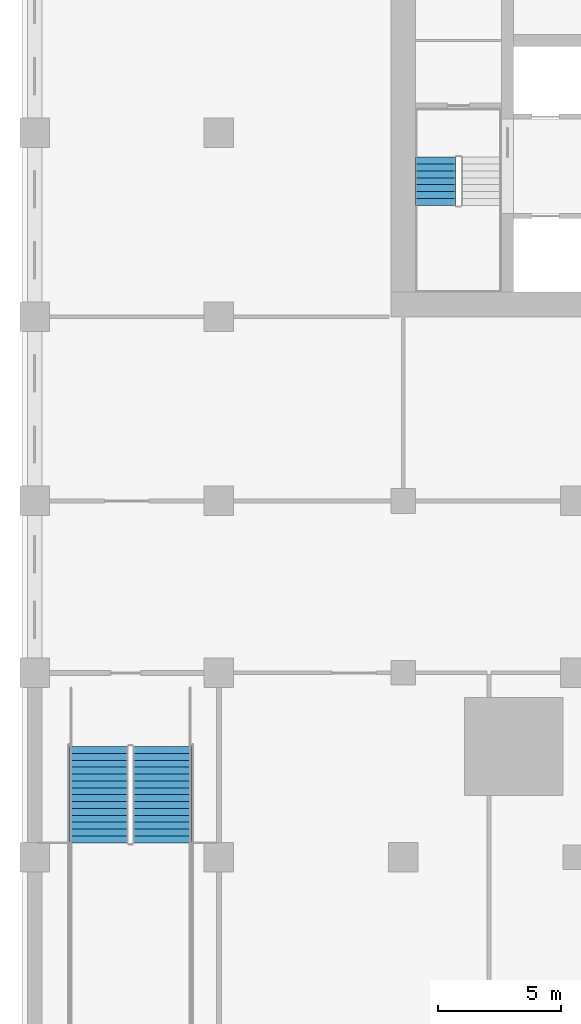
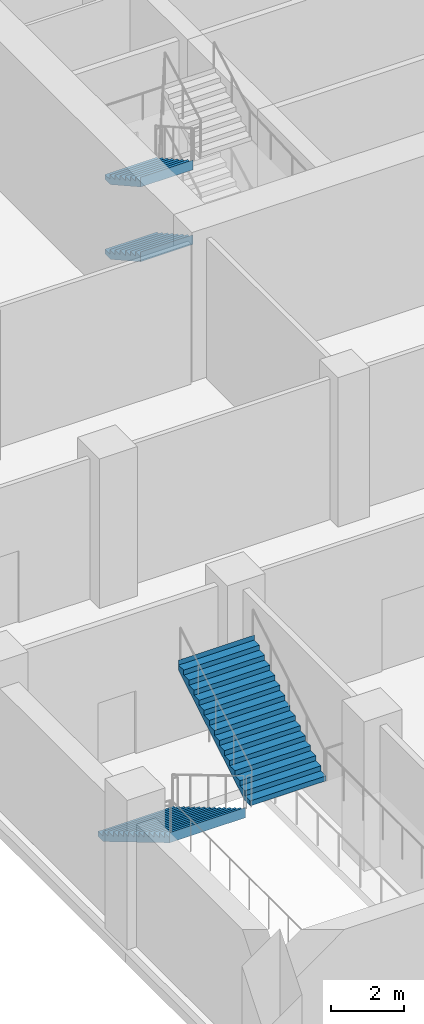
# One storey, part 13 of 32: 4 stair flights, 2 elements without a shape of their own.
"""IFC4 building model written with IfcOpenShell, lengths in metres."""

from ifc_helpers import new_model, si_unit, direction, frame, origin, place, context, subcontext, project, spatial, polyline, outline, extrude, material, type_object, element, aggregate, save


model = new_model("IFC4")

# Units and contexts
model_context = context("Model", 3, precision=1e-05, world=origin(), true_north=direction((0.0, 1.0)))
body_context = subcontext(model_context, "Body", "Model", "MODEL_VIEW")
ifc_project = project(units=[si_unit("LENGTHUNIT", "METRE"), si_unit("AREAUNIT", "SQUARE_METRE"), si_unit("VOLUMEUNIT", "CUBIC_METRE"), si_unit("PLANEANGLEUNIT", "RADIAN"), si_unit("MASSUNIT", "GRAM", prefix="KILO")], contexts=[model_context])

# Site, building, storey
site_placement = place(None, origin())
site = spatial("IfcSite", under=ifc_project, at=site_placement, CompositionType="ELEMENT")
building_placement = place(site_placement, origin())
building = spatial("IfcBuilding", under=site, at=building_placement, Name="Tamorin Gate", CompositionType="ELEMENT")
storey_placement = place(building_placement, frame((0.0, 0.0, 13.5)))
storey = spatial("IfcBuildingStorey", under=building, at=storey_placement, Name="L02", CompositionType="ELEMENT", Elevation=13.5)

# Stair, stair flights
ifc_material_1 = material(Name="Concrete C40/50", Category="concrete")
stair_type_1 = type_object("IfcStairType", Name="Exit stair", PredefinedType="HALF_TURN_STAIR", material=ifc_material_1)
stair_1_placement = place(storey_placement, origin())
stair_1 = element("IfcStair", 1, at=stair_1_placement, inside=storey, type_object=stair_type_1, Name="L02 stair ST1", PredefinedType="HALF_TURN_STAIR")
stair_flight_type_1 = type_object("IfcStairFlightType", Name="Exit stair flight", PredefinedType="STRAIGHT", material=ifc_material_1)
stair_flight_1_placement = place(storey_placement, frame((31.824951171875, 66.5, 0.0), z_axis=(0.0, 0.0, 1.0), x_axis=(0.0, -1.0, 0.0)))
stair_flight_1 = element("IfcStairFlight", 2, at=stair_flight_1_placement, type_object=stair_flight_type_1, Name="ST1 flight 1", NumberOfRisers=8, NumberOfTreads=7, PredefinedType="STRAIGHT", RiserHeight=0.15625, TreadLength=0.28, context=body_context, shape_type="SweptSolid", body=[
    extrude(outline(polyline([(-0.00048828125, 0.0), (-0.00048828125, 0.00146484375), (-0.00048828125, 0.003173828125), (-0.00048828125, 0.004638671875), (-0.00048828125, 0.006103515625), (-0.00048828125, 0.0078125), (-0.00048828125, 0.00927734375), (-0.00048828125, 0.0107421875), (-0.00048828125, 0.012451171875), (-0.00048828125, 0.013916015625), (-0.00048828125, 0.015380859375), (-0.00048828125, 0.01708984375), (-0.00048828125, 0.0185546875), (-0.00048828125, 0.02001953125), (-0.00048828125, 0.021728515625), (-0.00048828125, 0.023193359375), (-0.00048828125, 0.024658203125), (-0.00048828125, 0.0263671875), (-0.00048828125, 0.02783203125), (-0.00048828125, 0.029296875), (-0.00048828125, 0.031005859375), (-0.00048828125, 0.032470703125), (-0.00048828125, 0.033935546875), (-0.00048828125, 0.03564453125), (-0.00048828125, 0.037109375), (-0.00048828125, 0.03857421875), (-0.00048828125, 0.040283203125), (-0.00048828125, 0.041748046875), (-0.00048828125, 0.043212890625), (-0.00048828125, 0.044921875), (-0.00048828125, 0.04638671875), (-0.00048828125, 0.0478515625), (-0.00048828125, 0.049560546875), (-0.00048828125, 0.051025390625), (-0.00048828125, 0.052490234375), (-0.00048828125, 0.05419921875), (-0.00048828125, 0.0556640625), (-0.00048828125, 0.05712890625), (-0.00048828125, 0.058837890625), (-0.00048828125, 0.060302734375), (-0.00048828125, 0.061767578125), (-0.00048828125, 0.0634765625), (-0.00048828125, 0.06494140625), (-0.00048828125, 0.06640625), (-0.00048828125, 0.068115234375), (-0.00048828125, 0.069580078125), (-0.00048828125, 0.071044921875), (-0.00048828125, 0.07275390625), (-0.00048828125, 0.07421875), (-0.00048828125, 0.07568359375), (-0.00048828125, 0.077392578125), (-0.00048828125, 0.078857421875), (-0.00048828125, 0.08056640625), (-0.00048828125, 0.08203125), (-0.00048828125, 0.08349609375), (-0.00048828125, 0.085205078125), (-0.00048828125, 0.086669921875), (-0.00048828125, 0.088134765625), (-0.00048828125, 0.08984375), (-0.00048828125, 0.09130859375), (-0.00048828125, 0.0927734375), (-0.00048828125, 0.094482421875), (-0.00048828125, 0.095947265625), (-0.00048828125, 0.097412109375), (-0.00048828125, 0.09912109375), (-0.00048828125, 0.1005859375), (-0.00048828125, 0.10205078125), (-0.00048828125, 0.103759765625), (-0.00048828125, 0.105224609375), (-0.00048828125, 0.106689453125), (-0.00048828125, 0.1083984375), (-0.00048828125, 0.10986328125), (-0.00048828125, 0.111328125), (-0.00048828125, 0.113037109375), (-0.00048828125, 0.114501953125), (-0.00048828125, 0.115966796875), (-0.00048828125, 0.11767578125), (-0.00048828125, 0.119140625), (-0.00048828125, 0.12060546875), (-0.00048828125, 0.122314453125), (-0.00048828125, 0.123779296875), (-0.00048828125, 0.125244140625), (-0.00048828125, 0.126953125), (-0.00048828125, 0.12841796875), (-0.00048828125, 0.1298828125), (-0.00048828125, 0.131591796875), (-0.00048828125, 0.133056640625), (-0.00048828125, 0.134521484375), (-0.00048828125, 0.13623046875), (-0.00048828125, 0.1376953125), (-0.00048828125, 0.13916015625), (-0.00048828125, 0.140869140625), (-0.00048828125, 0.142333984375), (-0.00048828125, 0.143798828125), (-0.00048828125, 0.1455078125), (-0.00048828125, 0.14697265625), (-0.00048828125, 0.1484375), (-0.00048828125, 0.150146484375), (-0.00048828125, 0.151611328125), (-0.00048828125, 0.153076171875), (-0.00048828125, 0.15478515625), (-0.00048828125, 0.15625), (0.280029296875, 0.15625), (0.280029296875, 0.3125), (0.56005859375, 0.3125), (0.56005859375, 0.46875), (0.840087890625, 0.46875), (0.840087890625, 0.625), (1.1201171875, 0.625), (1.1201171875, 0.78125), (1.39990234375, 0.78125), (1.39990234375, 0.9375), (1.679931640625, 0.9375), (1.679931640625, 1.09375), (1.9599609375, 1.09375), (1.9599609375, 1.25), (1.96044921875, 1.25), (1.96044921875, 1.246826171875), (1.96044921875, 1.243408203125), (1.96044921875, 1.240234375), (1.96044921875, 1.237060546875), (1.96044921875, 1.23388671875), (1.96044921875, 1.23046875), (1.96044921875, 1.227294921875), (1.96044921875, 1.22412109375), (1.96044921875, 1.220703125), (1.96044921875, 1.217529296875), (1.96044921875, 1.21435546875), (1.96044921875, 1.2109375), (1.96044921875, 1.207763671875), (1.96044921875, 1.20458984375), (1.96044921875, 1.201416015625), (1.96044921875, 1.197998046875), (1.96044921875, 1.19482421875), (1.96044921875, 1.191650390625), (1.96044921875, 1.188232421875), (1.96044921875, 1.18505859375), (1.96044921875, 1.181884765625), (1.96044921875, 1.178466796875), (1.96044921875, 1.17529296875), (1.96044921875, 1.172119140625), (1.96044921875, 1.1689453125), (1.96044921875, 1.16552734375), (1.96044921875, 1.162353515625), (1.96044921875, 1.1591796875), (1.96044921875, 1.15576171875), (1.96044921875, 1.152587890625), (1.96044921875, 1.1494140625), (1.96044921875, 1.14599609375), (1.96044921875, 1.142822265625), (1.96044921875, 1.1396484375), (1.96044921875, 1.136474609375), (1.96044921875, 1.133056640625), (1.96044921875, 1.1298828125), (1.96044921875, 1.126708984375), (1.96044921875, 1.123291015625), (1.96044921875, 1.1201171875), (1.96044921875, 1.116943359375), (1.96044921875, 1.113525390625), (1.96044921875, 1.1103515625), (1.96044921875, 1.107177734375), (1.96044921875, 1.10400390625), (1.96044921875, 1.1005859375), (1.96044921875, 1.097412109375), (1.96044921875, 1.09423828125), (1.96044921875, 1.0908203125), (1.96044921875, 1.087646484375), (1.96044921875, 1.08447265625), (1.96044921875, 1.0810546875), (1.96044921875, 1.077880859375), (1.96044921875, 1.07470703125), (1.96044921875, 1.071533203125), (1.96044921875, 1.068115234375), (1.96044921875, 1.06494140625), (1.96044921875, 1.061767578125), (1.96044921875, 1.058349609375), (1.96044921875, 1.05517578125), (1.96044921875, 1.052001953125), (1.96044921875, 1.048828125), (1.96044921875, 1.04541015625), (1.96044921875, 1.042236328125), (1.96044921875, 1.0390625), (1.96044921875, 1.03564453125), (1.96044921875, 1.032470703125), (1.96044921875, 1.029296875), (1.96044921875, 1.02587890625), (1.96044921875, 1.022705078125), (1.96044921875, 1.01953125), (1.96044921875, 1.016357421875), (1.96044921875, 1.012939453125), (1.96044921875, 1.009765625), (1.96044921875, 1.006591796875), (1.96044921875, 1.003173828125), (1.96044921875, 1.0), (1.96044921875, 0.996826171875), (1.96044921875, 0.993408203125), (1.96044921875, 0.990234375), (1.96044921875, 0.987060546875), (1.96044921875, 0.98388671875), (1.96044921875, 0.98046875), (1.96044921875, 0.977294921875), (1.96044921875, 0.97412109375), (1.96044921875, 0.970703125), (1.96044921875, 0.967529296875), (1.96044921875, 0.96435546875), (1.96044921875, 0.9609375), (1.96044921875, 0.957763671875), (1.96044921875, 0.95458984375), (1.96044921875, 0.951416015625), (1.96044921875, 0.947998046875), (1.96044921875, 0.94482421875), (1.96044921875, 0.941650390625), (1.96044921875, 0.938232421875), (1.96044921875, 0.93505859375), (1.96044921875, 0.931884765625), (1.96044921875, 0.928466796875), (1.96044921875, 0.92529296875), (1.96044921875, 0.922119140625), (1.9599609375, 0.922119140625), (0.3076171875, 0.0), (-0.00048828125, 0.0)])), frame((0.0, 0.824951171875, 0.0), z_axis=(0.0, -1.0, 0.0), x_axis=(1.0, 0.0, 0.0)), (0.0, 0.0, 1.0), 1.64990234375),
])
stair_flight_2_placement = place(storey_placement, frame((31.824951171875, 66.5, 2.5), z_axis=(0.0, 0.0, 1.0), x_axis=(0.0, -1.0, 0.0)))
stair_flight_2 = element("IfcStairFlight", 3, at=stair_flight_2_placement, type_object=stair_flight_type_1, Name="ST1 flight 3", NumberOfRisers=8, NumberOfTreads=7, PredefinedType="STRAIGHT", RiserHeight=0.15625, TreadLength=0.28, context=body_context, shape_type="SweptSolid", body=[
    extrude(outline(polyline([(-0.00048828125, 0.0), (-0.00048828125, 0.00146484375), (-0.00048828125, 0.003173828125), (-0.00048828125, 0.004638671875), (-0.00048828125, 0.006103515625), (-0.00048828125, 0.0078125), (-0.00048828125, 0.00927734375), (-0.00048828125, 0.0107421875), (-0.00048828125, 0.012451171875), (-0.00048828125, 0.013916015625), (-0.00048828125, 0.015380859375), (-0.00048828125, 0.01708984375), (-0.00048828125, 0.0185546875), (-0.00048828125, 0.02001953125), (-0.00048828125, 0.021728515625), (-0.00048828125, 0.023193359375), (-0.00048828125, 0.024658203125), (-0.00048828125, 0.0263671875), (-0.00048828125, 0.02783203125), (-0.00048828125, 0.029296875), (-0.00048828125, 0.031005859375), (-0.00048828125, 0.032470703125), (-0.00048828125, 0.033935546875), (-0.00048828125, 0.03564453125), (-0.00048828125, 0.037109375), (-0.00048828125, 0.03857421875), (-0.00048828125, 0.040283203125), (-0.00048828125, 0.041748046875), (-0.00048828125, 0.043212890625), (-0.00048828125, 0.044921875), (-0.00048828125, 0.04638671875), (-0.00048828125, 0.0478515625), (-0.00048828125, 0.049560546875), (-0.00048828125, 0.051025390625), (-0.00048828125, 0.052490234375), (-0.00048828125, 0.05419921875), (-0.00048828125, 0.0556640625), (-0.00048828125, 0.05712890625), (-0.00048828125, 0.058837890625), (-0.00048828125, 0.060302734375), (-0.00048828125, 0.061767578125), (-0.00048828125, 0.0634765625), (-0.00048828125, 0.06494140625), (-0.00048828125, 0.06640625), (-0.00048828125, 0.068115234375), (-0.00048828125, 0.069580078125), (-0.00048828125, 0.071044921875), (-0.00048828125, 0.07275390625), (-0.00048828125, 0.07421875), (-0.00048828125, 0.07568359375), (-0.00048828125, 0.077392578125), (-0.00048828125, 0.078857421875), (-0.00048828125, 0.08056640625), (-0.00048828125, 0.08203125), (-0.00048828125, 0.08349609375), (-0.00048828125, 0.085205078125), (-0.00048828125, 0.086669921875), (-0.00048828125, 0.088134765625), (-0.00048828125, 0.08984375), (-0.00048828125, 0.09130859375), (-0.00048828125, 0.0927734375), (-0.00048828125, 0.094482421875), (-0.00048828125, 0.095947265625), (-0.00048828125, 0.097412109375), (-0.00048828125, 0.09912109375), (-0.00048828125, 0.1005859375), (-0.00048828125, 0.10205078125), (-0.00048828125, 0.103759765625), (-0.00048828125, 0.105224609375), (-0.00048828125, 0.106689453125), (-0.00048828125, 0.1083984375), (-0.00048828125, 0.10986328125), (-0.00048828125, 0.111328125), (-0.00048828125, 0.113037109375), (-0.00048828125, 0.114501953125), (-0.00048828125, 0.115966796875), (-0.00048828125, 0.11767578125), (-0.00048828125, 0.119140625), (-0.00048828125, 0.12060546875), (-0.00048828125, 0.122314453125), (-0.00048828125, 0.123779296875), (-0.00048828125, 0.125244140625), (-0.00048828125, 0.126953125), (-0.00048828125, 0.12841796875), (-0.00048828125, 0.1298828125), (-0.00048828125, 0.131591796875), (-0.00048828125, 0.133056640625), (-0.00048828125, 0.134521484375), (-0.00048828125, 0.13623046875), (-0.00048828125, 0.1376953125), (-0.00048828125, 0.13916015625), (-0.00048828125, 0.140869140625), (-0.00048828125, 0.142333984375), (-0.00048828125, 0.143798828125), (-0.00048828125, 0.1455078125), (-0.00048828125, 0.14697265625), (-0.00048828125, 0.1484375), (-0.00048828125, 0.150146484375), (-0.00048828125, 0.151611328125), (-0.00048828125, 0.153076171875), (-0.00048828125, 0.15478515625), (-0.00048828125, 0.15625), (0.280029296875, 0.15625), (0.280029296875, 0.3125), (0.56005859375, 0.3125), (0.56005859375, 0.46875), (0.840087890625, 0.46875), (0.840087890625, 0.625), (1.1201171875, 0.625), (1.1201171875, 0.78125), (1.39990234375, 0.78125), (1.39990234375, 0.9375), (1.679931640625, 0.9375), (1.679931640625, 1.09375), (1.9599609375, 1.09375), (1.9599609375, 1.25), (1.96044921875, 1.25), (1.96044921875, 1.246826171875), (1.96044921875, 1.243408203125), (1.96044921875, 1.240234375), (1.96044921875, 1.237060546875), (1.96044921875, 1.23388671875), (1.96044921875, 1.23046875), (1.96044921875, 1.227294921875), (1.96044921875, 1.22412109375), (1.96044921875, 1.220703125), (1.96044921875, 1.217529296875), (1.96044921875, 1.21435546875), (1.96044921875, 1.2109375), (1.96044921875, 1.207763671875), (1.96044921875, 1.20458984375), (1.96044921875, 1.201416015625), (1.96044921875, 1.197998046875), (1.96044921875, 1.19482421875), (1.96044921875, 1.191650390625), (1.96044921875, 1.188232421875), (1.96044921875, 1.18505859375), (1.96044921875, 1.181884765625), (1.96044921875, 1.178466796875), (1.96044921875, 1.17529296875), (1.96044921875, 1.172119140625), (1.96044921875, 1.1689453125), (1.96044921875, 1.16552734375), (1.96044921875, 1.162353515625), (1.96044921875, 1.1591796875), (1.96044921875, 1.15576171875), (1.96044921875, 1.152587890625), (1.96044921875, 1.1494140625), (1.96044921875, 1.14599609375), (1.96044921875, 1.142822265625), (1.96044921875, 1.1396484375), (1.96044921875, 1.136474609375), (1.96044921875, 1.133056640625), (1.96044921875, 1.1298828125), (1.96044921875, 1.126708984375), (1.96044921875, 1.123291015625), (1.96044921875, 1.1201171875), (1.96044921875, 1.116943359375), (1.96044921875, 1.113525390625), (1.96044921875, 1.1103515625), (1.96044921875, 1.107177734375), (1.96044921875, 1.10400390625), (1.96044921875, 1.1005859375), (1.96044921875, 1.097412109375), (1.96044921875, 1.09423828125), (1.96044921875, 1.0908203125), (1.96044921875, 1.087646484375), (1.96044921875, 1.08447265625), (1.96044921875, 1.0810546875), (1.96044921875, 1.077880859375), (1.96044921875, 1.07470703125), (1.96044921875, 1.071533203125), (1.96044921875, 1.068115234375), (1.96044921875, 1.06494140625), (1.96044921875, 1.061767578125), (1.96044921875, 1.058349609375), (1.96044921875, 1.05517578125), (1.96044921875, 1.052001953125), (1.96044921875, 1.048828125), (1.96044921875, 1.04541015625), (1.96044921875, 1.042236328125), (1.96044921875, 1.0390625), (1.96044921875, 1.03564453125), (1.96044921875, 1.032470703125), (1.96044921875, 1.029296875), (1.96044921875, 1.02587890625), (1.96044921875, 1.022705078125), (1.96044921875, 1.01953125), (1.96044921875, 1.016357421875), (1.96044921875, 1.012939453125), (1.96044921875, 1.009765625), (1.96044921875, 1.006591796875), (1.96044921875, 1.003173828125), (1.96044921875, 1.0), (1.96044921875, 0.996826171875), (1.96044921875, 0.993408203125), (1.96044921875, 0.990234375), (1.96044921875, 0.987060546875), (1.96044921875, 0.98388671875), (1.96044921875, 0.98046875), (1.96044921875, 0.977294921875), (1.96044921875, 0.97412109375), (1.96044921875, 0.970703125), (1.96044921875, 0.967529296875), (1.96044921875, 0.96435546875), (1.96044921875, 0.9609375), (1.96044921875, 0.957763671875), (1.96044921875, 0.95458984375), (1.96044921875, 0.951416015625), (1.96044921875, 0.947998046875), (1.96044921875, 0.94482421875), (1.96044921875, 0.941650390625), (1.96044921875, 0.938232421875), (1.96044921875, 0.93505859375), (1.96044921875, 0.931884765625), (1.96044921875, 0.928466796875), (1.96044921875, 0.92529296875), (1.96044921875, 0.922119140625), (1.9599609375, 0.922119140625), (0.3076171875, 0.0), (-0.00048828125, 0.0)])), frame((0.0, 0.824951171875, 0.0), z_axis=(0.0, -1.0, 0.0), x_axis=(1.0, 0.0, 0.0)), (0.0, 0.0, 1.0), 1.64990234375),
])
aggregate(stair_1, [stair_flight_1, stair_flight_2])

ifc_material_2 = material(Name="Reinforced concrete C32/40", Category="concrete")
stair_type_2 = type_object("IfcStairType", Name="Podium stair PS", PredefinedType="HALF_TURN_STAIR", material=ifc_material_2)
stair_2_placement = place(storey_placement, origin())
stair_2 = element("IfcStair", 4, at=stair_2_placement, inside=storey, type_object=stair_type_2, Name="L02 Podium stair PS1", PredefinedType="HALF_TURN_STAIR")
stair_flight_type_2 = type_object("IfcStairFlightType", Name="Stair flight 2400", PredefinedType="STRAIGHT", material=ifc_material_2)
stair_flight_3_placement = place(storey_placement, frame((18.125, 42.5, 0.0), z_axis=(0.0, 0.0, 1.0), x_axis=(0.0, -1.0, 0.0)))
stair_flight_3 = element("IfcStairFlight", 5, at=stair_flight_3_placement, type_object=stair_flight_type_2, Name="PS1 flight 1", NumberOfRisers=15, NumberOfTreads=14, PredefinedType="STRAIGHT", RiserHeight=0.166666667, TreadLength=0.28, context=body_context, shape_type="SweptSolid", body=[
    extrude(outline(polyline([(-0.00048828125, 0.0), (-0.00048828125, 0.001708984375), (-0.00048828125, 0.00341796875), (-0.00048828125, 0.0048828125), (-0.00048828125, 0.006591796875), (-0.00048828125, 0.00830078125), (-0.00048828125, 0.010009765625), (-0.00048828125, 0.011474609375), (-0.00048828125, 0.01318359375), (-0.00048828125, 0.014892578125), (-0.00048828125, 0.0166015625), (-0.00048828125, 0.01806640625), (-0.00048828125, 0.019775390625), (-0.00048828125, 0.021484375), (-0.00048828125, 0.023193359375), (-0.00048828125, 0.024658203125), (-0.00048828125, 0.0263671875), (-0.00048828125, 0.028076171875), (-0.00048828125, 0.02978515625), (-0.00048828125, 0.03125), (-0.00048828125, 0.032958984375), (-0.00048828125, 0.03466796875), (-0.00048828125, 0.036376953125), (-0.00048828125, 0.037841796875), (-0.00048828125, 0.03955078125), (-0.00048828125, 0.041259765625), (-0.00048828125, 0.04296875), (-0.00048828125, 0.04443359375), (-0.00048828125, 0.046142578125), (-0.00048828125, 0.0478515625), (-0.00048828125, 0.049560546875), (-0.00048828125, 0.05126953125), (-0.00048828125, 0.052734375), (-0.00048828125, 0.054443359375), (-0.00048828125, 0.05615234375), (-0.00048828125, 0.057861328125), (-0.00048828125, 0.059326171875), (-0.00048828125, 0.06103515625), (-0.00048828125, 0.062744140625), (-0.00048828125, 0.064453125), (-0.00048828125, 0.06591796875), (-0.00048828125, 0.067626953125), (-0.00048828125, 0.0693359375), (-0.00048828125, 0.071044921875), (-0.00048828125, 0.072509765625), (-0.00048828125, 0.07421875), (-0.00048828125, 0.075927734375), (-0.00048828125, 0.07763671875), (-0.00048828125, 0.0791015625), (-0.00048828125, 0.080810546875), (-0.00048828125, 0.08251953125), (-0.00048828125, 0.084228515625), (-0.00048828125, 0.085693359375), (-0.00048828125, 0.08740234375), (-0.00048828125, 0.089111328125), (-0.00048828125, 0.0908203125), (-0.00048828125, 0.092529296875), (-0.00048828125, 0.093994140625), (-0.00048828125, 0.095703125), (-0.00048828125, 0.097412109375), (-0.00048828125, 0.09912109375), (-0.00048828125, 0.1005859375), (-0.00048828125, 0.102294921875), (-0.00048828125, 0.10400390625), (-0.00048828125, 0.105712890625), (-0.00048828125, 0.107177734375), (-0.00048828125, 0.10888671875), (-0.00048828125, 0.110595703125), (-0.00048828125, 0.1123046875), (-0.00048828125, 0.11376953125), (-0.00048828125, 0.115478515625), (-0.00048828125, 0.1171875), (-0.00048828125, 0.118896484375), (-0.00048828125, 0.120361328125), (-0.00048828125, 0.1220703125), (-0.00048828125, 0.123779296875), (-0.00048828125, 0.12548828125), (-0.00048828125, 0.126953125), (-0.00048828125, 0.128662109375), (-0.00048828125, 0.13037109375), (-0.00048828125, 0.132080078125), (-0.00048828125, 0.133544921875), (-0.00048828125, 0.13525390625), (-0.00048828125, 0.136962890625), (-0.00048828125, 0.138671875), (-0.00048828125, 0.140380859375), (-0.00048828125, 0.141845703125), (-0.00048828125, 0.1435546875), (-0.00048828125, 0.145263671875), (-0.00048828125, 0.14697265625), (-0.00048828125, 0.1484375), (-0.00048828125, 0.150146484375), (-0.00048828125, 0.15185546875), (-0.00048828125, 0.153564453125), (-0.00048828125, 0.155029296875), (-0.00048828125, 0.15673828125), (-0.00048828125, 0.158447265625), (-0.00048828125, 0.16015625), (-0.00048828125, 0.16162109375), (-0.00048828125, 0.163330078125), (-0.00048828125, 0.1650390625), (-0.00048828125, 0.166748046875), (0.280029296875, 0.166748046875), (0.280029296875, 0.333251953125), (0.56005859375, 0.333251953125), (0.56005859375, 0.5), (0.840087890625, 0.5), (0.840087890625, 0.666748046875), (1.1201171875, 0.666748046875), (1.1201171875, 0.833251953125), (1.39990234375, 0.833251953125), (1.39990234375, 1.0), (1.679931640625, 1.0), (1.679931640625, 1.166748046875), (1.9599609375, 1.166748046875), (1.9599609375, 1.333251953125), (2.239990234375, 1.333251953125), (2.239990234375, 1.5), (2.52001953125, 1.5), (2.52001953125, 1.666748046875), (2.800048828125, 1.666748046875), (2.800048828125, 1.833251953125), (3.080078125, 1.833251953125), (3.080078125, 2.0), (3.360107421875, 2.0), (3.360107421875, 2.166748046875), (3.639892578125, 2.166748046875), (3.639892578125, 2.333251953125), (3.919921875, 2.333251953125), (3.919921875, 2.5), (3.92041015625, 2.5), (3.92041015625, 2.49658203125), (3.92041015625, 2.4931640625), (3.92041015625, 2.48974609375), (3.92041015625, 2.486572265625), (3.92041015625, 2.483154296875), (3.92041015625, 2.479736328125), (3.92041015625, 2.476318359375), (3.92041015625, 2.472900390625), (3.92041015625, 2.469482421875), (3.92041015625, 2.46630859375), (3.92041015625, 2.462890625), (3.92041015625, 2.45947265625), (3.92041015625, 2.4560546875), (3.92041015625, 2.45263671875), (3.92041015625, 2.44921875), (3.92041015625, 2.446044921875), (3.92041015625, 2.442626953125), (3.92041015625, 2.439208984375), (3.92041015625, 2.435791015625), (3.92041015625, 2.432373046875), (3.92041015625, 2.428955078125), (3.92041015625, 2.42578125), (3.92041015625, 2.42236328125), (3.92041015625, 2.4189453125), (3.92041015625, 2.41552734375), (3.92041015625, 2.412109375), (3.92041015625, 2.40869140625), (3.92041015625, 2.405517578125), (3.92041015625, 2.402099609375), (3.92041015625, 2.398681640625), (3.92041015625, 2.395263671875), (3.92041015625, 2.391845703125), (3.92041015625, 2.388427734375), (3.92041015625, 2.38525390625), (3.92041015625, 2.3818359375), (3.92041015625, 2.37841796875), (3.92041015625, 2.375), (3.92041015625, 2.37158203125), (3.92041015625, 2.3681640625), (3.92041015625, 2.364990234375), (3.92041015625, 2.361572265625), (3.92041015625, 2.358154296875), (3.92041015625, 2.354736328125), (3.92041015625, 2.351318359375), (3.92041015625, 2.347900390625), (3.92041015625, 2.3447265625), (3.92041015625, 2.34130859375), (3.92041015625, 2.337890625), (3.92041015625, 2.33447265625), (3.92041015625, 2.3310546875), (3.92041015625, 2.32763671875), (3.92041015625, 2.324462890625), (3.92041015625, 2.321044921875), (3.92041015625, 2.317626953125), (3.92041015625, 2.314208984375), (3.92041015625, 2.310791015625), (3.92041015625, 2.307373046875), (3.92041015625, 2.30419921875), (3.92041015625, 2.30078125), (3.92041015625, 2.29736328125), (3.92041015625, 2.2939453125), (3.92041015625, 2.29052734375), (3.92041015625, 2.287109375), (3.92041015625, 2.283935546875), (3.92041015625, 2.280517578125), (3.92041015625, 2.277099609375), (3.92041015625, 2.273681640625), (3.92041015625, 2.270263671875), (3.92041015625, 2.266845703125), (3.92041015625, 2.263671875), (3.92041015625, 2.26025390625), (3.92041015625, 2.2568359375), (3.92041015625, 2.25341796875), (3.92041015625, 2.25), (3.92041015625, 2.24658203125), (3.92041015625, 2.243408203125), (3.92041015625, 2.239990234375), (3.92041015625, 2.236572265625), (3.92041015625, 2.233154296875), (3.92041015625, 2.229736328125), (3.92041015625, 2.226318359375), (3.92041015625, 2.22314453125), (3.92041015625, 2.2197265625), (3.92041015625, 2.21630859375), (3.92041015625, 2.212890625), (3.92041015625, 2.20947265625), (3.92041015625, 2.2060546875), (3.92041015625, 2.202880859375), (3.92041015625, 2.199462890625), (3.92041015625, 2.196044921875), (3.92041015625, 2.192626953125), (3.92041015625, 2.189208984375), (3.92041015625, 2.185791015625), (3.92041015625, 2.1826171875), (3.92041015625, 2.17919921875), (3.92041015625, 2.17578125), (3.92041015625, 2.17236328125), (3.92041015625, 2.1689453125), (3.92041015625, 2.16552734375), (3.92041015625, 2.162353515625), (3.92041015625, 2.158935546875), (3.919921875, 2.158935546875), (0.29296875, 0.0), (-0.00048828125, 0.0)])), frame((0.0, 1.199951171875, 0.0), z_axis=(0.0, -1.0, 0.0), x_axis=(1.0, 0.0, 0.0)), (0.0, 0.0, 1.0), 2.39990234375),
])
stair_flight_4_placement = place(storey_placement, frame((20.675048828125, 38.580078125, 2.5), z_axis=(0.0, 0.0, 1.0), x_axis=(0.0, 1.0, 0.0)))
stair_flight_4 = element("IfcStairFlight", 6, at=stair_flight_4_placement, type_object=stair_flight_type_2, Name="PS1 flight 2", NumberOfRisers=15, NumberOfTreads=14, PredefinedType="STRAIGHT", RiserHeight=0.166666667, TreadLength=0.28, context=body_context, shape_type="SweptSolid", body=[
    extrude(outline(polyline([(-0.00048828125, 0.0), (-0.00048828125, 0.001708984375), (-0.00048828125, 0.00341796875), (-0.00048828125, 0.0048828125), (-0.00048828125, 0.006591796875), (-0.00048828125, 0.00830078125), (-0.00048828125, 0.010009765625), (-0.00048828125, 0.011474609375), (-0.00048828125, 0.01318359375), (-0.00048828125, 0.014892578125), (-0.00048828125, 0.0166015625), (-0.00048828125, 0.01806640625), (-0.00048828125, 0.019775390625), (-0.00048828125, 0.021484375), (-0.00048828125, 0.023193359375), (-0.00048828125, 0.024658203125), (-0.00048828125, 0.0263671875), (-0.00048828125, 0.028076171875), (-0.00048828125, 0.02978515625), (-0.00048828125, 0.03125), (-0.00048828125, 0.032958984375), (-0.00048828125, 0.03466796875), (-0.00048828125, 0.036376953125), (-0.00048828125, 0.037841796875), (-0.00048828125, 0.03955078125), (-0.00048828125, 0.041259765625), (-0.00048828125, 0.04296875), (-0.00048828125, 0.04443359375), (-0.00048828125, 0.046142578125), (-0.00048828125, 0.0478515625), (-0.00048828125, 0.049560546875), (-0.00048828125, 0.05126953125), (-0.00048828125, 0.052734375), (-0.00048828125, 0.054443359375), (-0.00048828125, 0.05615234375), (-0.00048828125, 0.057861328125), (-0.00048828125, 0.059326171875), (-0.00048828125, 0.06103515625), (-0.00048828125, 0.062744140625), (-0.00048828125, 0.064453125), (-0.00048828125, 0.06591796875), (-0.00048828125, 0.067626953125), (-0.00048828125, 0.0693359375), (-0.00048828125, 0.071044921875), (-0.00048828125, 0.072509765625), (-0.00048828125, 0.07421875), (-0.00048828125, 0.075927734375), (-0.00048828125, 0.07763671875), (-0.00048828125, 0.0791015625), (-0.00048828125, 0.080810546875), (-0.00048828125, 0.08251953125), (-0.00048828125, 0.084228515625), (-0.00048828125, 0.085693359375), (-0.00048828125, 0.08740234375), (-0.00048828125, 0.089111328125), (-0.00048828125, 0.0908203125), (-0.00048828125, 0.092529296875), (-0.00048828125, 0.093994140625), (-0.00048828125, 0.095703125), (-0.00048828125, 0.097412109375), (-0.00048828125, 0.09912109375), (-0.00048828125, 0.1005859375), (-0.00048828125, 0.102294921875), (-0.00048828125, 0.10400390625), (-0.00048828125, 0.105712890625), (-0.00048828125, 0.107177734375), (-0.00048828125, 0.10888671875), (-0.00048828125, 0.110595703125), (-0.00048828125, 0.1123046875), (-0.00048828125, 0.11376953125), (-0.00048828125, 0.115478515625), (-0.00048828125, 0.1171875), (-0.00048828125, 0.118896484375), (-0.00048828125, 0.120361328125), (-0.00048828125, 0.1220703125), (-0.00048828125, 0.123779296875), (-0.00048828125, 0.12548828125), (-0.00048828125, 0.126953125), (-0.00048828125, 0.128662109375), (-0.00048828125, 0.13037109375), (-0.00048828125, 0.132080078125), (-0.00048828125, 0.133544921875), (-0.00048828125, 0.13525390625), (-0.00048828125, 0.136962890625), (-0.00048828125, 0.138671875), (-0.00048828125, 0.140380859375), (-0.00048828125, 0.141845703125), (-0.00048828125, 0.1435546875), (-0.00048828125, 0.145263671875), (-0.00048828125, 0.14697265625), (-0.00048828125, 0.1484375), (-0.00048828125, 0.150146484375), (-0.00048828125, 0.15185546875), (-0.00048828125, 0.153564453125), (-0.00048828125, 0.155029296875), (-0.00048828125, 0.15673828125), (-0.00048828125, 0.158447265625), (-0.00048828125, 0.16015625), (-0.00048828125, 0.16162109375), (-0.00048828125, 0.163330078125), (-0.00048828125, 0.1650390625), (-0.00048828125, 0.166748046875), (0.280029296875, 0.166748046875), (0.280029296875, 0.333251953125), (0.56005859375, 0.333251953125), (0.56005859375, 0.5), (0.840087890625, 0.5), (0.840087890625, 0.666748046875), (1.1201171875, 0.666748046875), (1.1201171875, 0.833251953125), (1.39990234375, 0.833251953125), (1.39990234375, 1.0), (1.679931640625, 1.0), (1.679931640625, 1.166748046875), (1.9599609375, 1.166748046875), (1.9599609375, 1.333251953125), (2.239990234375, 1.333251953125), (2.239990234375, 1.5), (2.52001953125, 1.5), (2.52001953125, 1.666748046875), (2.800048828125, 1.666748046875), (2.800048828125, 1.833251953125), (3.080078125, 1.833251953125), (3.080078125, 2.0), (3.360107421875, 2.0), (3.360107421875, 2.166748046875), (3.639892578125, 2.166748046875), (3.639892578125, 2.333251953125), (3.919921875, 2.333251953125), (3.919921875, 2.5), (3.92041015625, 2.5), (3.92041015625, 2.49658203125), (3.92041015625, 2.4931640625), (3.92041015625, 2.48974609375), (3.92041015625, 2.486572265625), (3.92041015625, 2.483154296875), (3.92041015625, 2.479736328125), (3.92041015625, 2.476318359375), (3.92041015625, 2.472900390625), (3.92041015625, 2.469482421875), (3.92041015625, 2.46630859375), (3.92041015625, 2.462890625), (3.92041015625, 2.45947265625), (3.92041015625, 2.4560546875), (3.92041015625, 2.45263671875), (3.92041015625, 2.44921875), (3.92041015625, 2.446044921875), (3.92041015625, 2.442626953125), (3.92041015625, 2.439208984375), (3.92041015625, 2.435791015625), (3.92041015625, 2.432373046875), (3.92041015625, 2.428955078125), (3.92041015625, 2.42578125), (3.92041015625, 2.42236328125), (3.92041015625, 2.4189453125), (3.92041015625, 2.41552734375), (3.92041015625, 2.412109375), (3.92041015625, 2.40869140625), (3.92041015625, 2.405517578125), (3.92041015625, 2.402099609375), (3.92041015625, 2.398681640625), (3.92041015625, 2.395263671875), (3.92041015625, 2.391845703125), (3.92041015625, 2.388427734375), (3.92041015625, 2.38525390625), (3.92041015625, 2.3818359375), (3.92041015625, 2.37841796875), (3.92041015625, 2.375), (3.92041015625, 2.37158203125), (3.92041015625, 2.3681640625), (3.92041015625, 2.364990234375), (3.92041015625, 2.361572265625), (3.92041015625, 2.358154296875), (3.92041015625, 2.354736328125), (3.92041015625, 2.351318359375), (3.92041015625, 2.347900390625), (3.92041015625, 2.3447265625), (3.92041015625, 2.34130859375), (3.92041015625, 2.337890625), (3.92041015625, 2.33447265625), (3.92041015625, 2.3310546875), (3.92041015625, 2.32763671875), (3.92041015625, 2.324462890625), (3.92041015625, 2.321044921875), (3.92041015625, 2.317626953125), (3.92041015625, 2.314208984375), (3.92041015625, 2.310791015625), (3.92041015625, 2.307373046875), (3.92041015625, 2.30419921875), (3.92041015625, 2.30078125), (3.92041015625, 2.29736328125), (3.92041015625, 2.2939453125), (3.92041015625, 2.29052734375), (3.92041015625, 2.287109375), (3.92041015625, 2.283935546875), (3.92041015625, 2.280517578125), (3.92041015625, 2.277099609375), (3.92041015625, 2.273681640625), (3.92041015625, 2.270263671875), (3.92041015625, 2.266845703125), (3.92041015625, 2.263671875), (3.92041015625, 2.26025390625), (3.92041015625, 2.2568359375), (3.92041015625, 2.25341796875), (3.92041015625, 2.25), (3.92041015625, 2.24658203125), (3.92041015625, 2.243408203125), (3.92041015625, 2.239990234375), (3.92041015625, 2.236572265625), (3.92041015625, 2.233154296875), (3.92041015625, 2.229736328125), (3.92041015625, 2.226318359375), (3.92041015625, 2.22314453125), (3.92041015625, 2.2197265625), (3.92041015625, 2.21630859375), (3.92041015625, 2.212890625), (3.92041015625, 2.20947265625), (3.92041015625, 2.2060546875), (3.92041015625, 2.202880859375), (3.92041015625, 2.199462890625), (3.92041015625, 2.196044921875), (3.92041015625, 2.192626953125), (3.92041015625, 2.189208984375), (3.92041015625, 2.185791015625), (3.92041015625, 2.1826171875), (3.92041015625, 2.17919921875), (3.92041015625, 2.17578125), (3.92041015625, 2.17236328125), (3.92041015625, 2.1689453125), (3.92041015625, 2.16552734375), (3.92041015625, 2.162353515625), (3.92041015625, 2.158935546875), (3.919921875, 2.158935546875), (0.29296875, 0.0), (-0.00048828125, 0.0)])), frame((0.0, 1.199951171875, 0.0), z_axis=(0.0, -1.0, 0.0), x_axis=(1.0, 0.0, 0.0)), (0.0, 0.0, 1.0), 2.39990234375),
])
aggregate(stair_2, [stair_flight_3, stair_flight_4])

save(model, "model.ifc")
